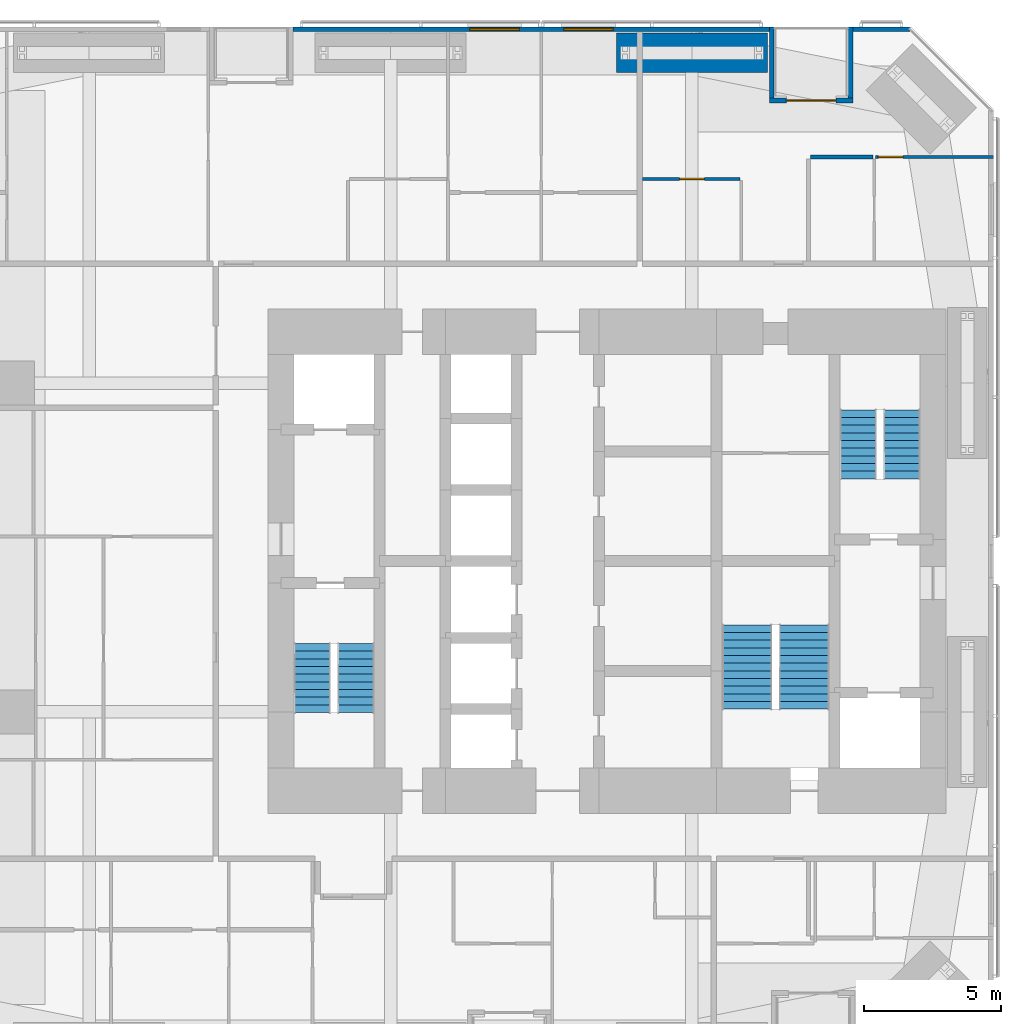
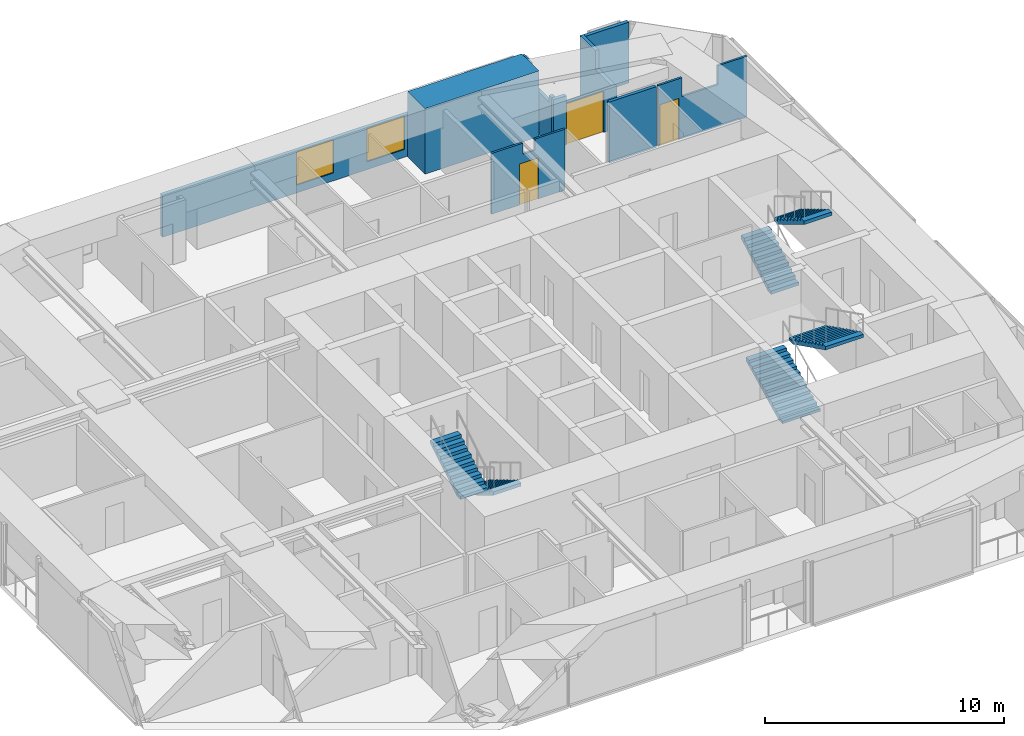
# One storey, part 23 of 24: 10 walls, 6 stair flights, 3 doors, 2 windows, 5 openings, 3 elements without a shape of their own.
"""IFC4 building model written with IfcOpenShell, lengths in metres."""

from ifc_helpers import new_model, si_unit, direction, frame, frame_2d, origin, place, context, subcontext, project, spatial, polyline, rectangle, outline, extrude, material, layer, layer_set, constituent, constituent_set, type_object, element, fill, aggregate, save


model = new_model("IFC4")

# Units and contexts
model_context = context("Model", 3, precision=1e-05, world=origin(), true_north=direction((0.0, 1.0)))
body_context = subcontext(model_context, "Body", "Model", "MODEL_VIEW")
ifc_project = project(units=[si_unit("LENGTHUNIT", "METRE"), si_unit("AREAUNIT", "SQUARE_METRE"), si_unit("VOLUMEUNIT", "CUBIC_METRE"), si_unit("PLANEANGLEUNIT", "RADIAN"), si_unit("MASSUNIT", "GRAM", prefix="KILO")], contexts=[model_context])

# Site, building, storey
site_placement = place(None, origin())
site = spatial("IfcSite", under=ifc_project, at=site_placement, CompositionType="ELEMENT")
building_placement = place(site_placement, origin())
building = spatial("IfcBuilding", under=site, at=building_placement, Name="Jalousie Tower", CompositionType="ELEMENT")
storey_placement = place(building_placement, frame((0.0, 0.0, 57.85009765625)))
storey = spatial("IfcBuildingStorey", under=building, at=storey_placement, Name="L15", CompositionType="ELEMENT", Elevation=57.85009765625)

# Walls
ifc_material_1 = material(Name="Concrete block ASTM C90", Category="concrete")
ifc_constituent_1 = constituent(ifc_material_1, Name="Body")
ifc_material_2 = material(Name="Render")
ifc_constituent_2 = constituent(ifc_material_2, Name="Finish")
ifc_constituent_set_1 = constituent_set(constituents=[ifc_constituent_1, ifc_constituent_2])
wall_type_1 = type_object("IfcWallType", Name="BATHROOM WALL 150", PredefinedType="PLUMBINGWALL", material=ifc_constituent_set_1)
wall_1_placement = place(storey_placement, frame((39.324951171875, 33.25341796875, 0.0), z_axis=(0.0, 0.0, 1.0), x_axis=(1.0, 0.0, 0.0)))
element("IfcWall", 1, at=wall_1_placement, inside=storey, type_object=wall_type_1, Name="Bathroom Wall 150 L15", PredefinedType="PLUMBINGWALL", context=body_context, shape_type="SweptSolid", body=[
    extrude(rectangle(XDim=2.275146484375, YDim=0.14990234375, at=frame_2d((1.1376953125, 0.0))), origin(), (0.0, 0.0, 1.0), 3.10986328125),
])
ifc_material_3 = material(Name="Concrete f'c 40 MPa", Category="concrete")
ifc_constituent_3 = constituent(ifc_material_3, Name="Body")
ifc_material_4 = material(Name="Render, pastel coral")
ifc_constituent_4 = constituent(ifc_material_4, Name="Finish")
ifc_constituent_set_2 = constituent_set(constituents=[ifc_constituent_3, ifc_constituent_4])
wall_type_2 = type_object("IfcWallType", Name="EXTERNAL WALL 175 CORAL RENDER", PredefinedType="SOLIDWALL", material=ifc_constituent_set_2)
wall_2_placement = place(storey_placement, frame((42.94873046875, 37.91259765625, 0.0), z_axis=(0.0, 0.0, 1.0), x_axis=(-1.0, 0.0, 0.0)))
element("IfcWall", 2, at=wall_2_placement, inside=storey, type_object=wall_type_2, Name="External Wall 175 Coral Render L15", PredefinedType="SOLIDWALL", context=body_context, shape_type="SweptSolid", body=[
    extrude(rectangle(XDim=2.074951171875, YDim=0.175048828125, at=frame_2d((1.03759765625, 0.0))), origin(), (0.0, 0.0, 1.0), 3.10986328125),
])

# Wall, openings, windows
wall_3_placement = place(storey_placement, frame((37.82373046875, 37.91259765625, 0.0), z_axis=(0.0, 0.0, 1.0), x_axis=(-1.0, 0.0, 0.0)))
wall_3 = element("IfcWall", 3, at=wall_3_placement, inside=storey, type_object=wall_type_2, Name="External Wall 175 Coral Render L15", PredefinedType="SOLIDWALL", context=body_context, shape_type="SweptSolid", body=[
    extrude(outline(polyline([(0.0, 0.0), (17.373779296875, 0.0), (17.373779296875, 2.14990234375), (2.82373046875, 2.14990234375), (2.82373046875, 3.10986328125), (2.66796875, 3.10986328125), (2.66796875, 2.14990234375), (2.61962890625, 2.14990234375), (2.61962890625, 3.10986328125), (0.0, 3.10986328125), (0.0, 0.0)])), frame((0.0, 0.08740234375, 0.0), z_axis=(0.0, -1.0, 0.0), x_axis=(1.0, 0.0, 0.0)), (0.0, 0.0, 1.0), 0.175048828125),
])
opening_1_placement = place(wall_3_placement, frame((5.69873046875, 0.0, 0.39990234375)))
opening_1 = element("IfcOpeningElement", 4, at=opening_1_placement, cuts=wall_3, Name="Opening W-BED170", PredefinedType="OPENING", context=body_context, shape_type="SweptSolid", body=[
    extrude(rectangle(XDim=1.800048828125, YDim=1.699951171875, at=frame_2d((0.89990234375, 0.85009765625))), frame((0.0, 0.097412109375, 0.0), z_axis=(0.0, -1.0, 0.0), x_axis=(1.0, 0.0, 0.0)), (0.0, 0.0, 1.0), 0.195068359375),
])
opening_2_placement = place(wall_3_placement, frame((9.123779296875, 0.0, 0.39990234375)))
opening_2 = element("IfcOpeningElement", 5, at=opening_2_placement, cuts=wall_3, Name="Opening W-BED170", PredefinedType="OPENING", context=body_context, shape_type="SweptSolid", body=[
    extrude(rectangle(XDim=1.800048828125, YDim=1.699951171875, at=frame_2d((0.89990234375, 0.85009765625))), frame((0.0, 0.097412109375, 0.0), z_axis=(0.0, -1.0, 0.0), x_axis=(1.0, 0.0, 0.0)), (0.0, 0.0, 1.0), 0.195068359375),
])
ifc_material_5 = material(Name="Aluminium frame, impact-rated glazing", Category="aluminium")
window_type = type_object("IfcWindowType", Name="WINDOW BED 1800x1700", PartitioningType="SINGLE_PANEL", PredefinedType="WINDOW", material=ifc_material_5)
window_1_placement = place(opening_1_placement, origin())
window_1 = element("IfcWindow", 6, at=window_1_placement, inside=storey, type_object=window_type, Name="Apartment 1503 bedroom 4 window", OverallHeight=1.699951171875, OverallWidth=1.800048828125, PartitioningType="SINGLE_PANEL", PredefinedType="WINDOW", context=body_context, shape_type="SweptSolid", body=[
    extrude(rectangle(XDim=1.800048828125, YDim=1.699951171875, at=frame_2d((0.89990234375, 0.85009765625))), frame((0.0, 0.030029296875, 0.0), z_axis=(0.0, -1.0, 0.0), x_axis=(1.0, 0.0, 0.0)), (0.0, 0.0, 1.0), 0.06005859375),
])
fill(opening_1, window_1)
window_2_placement = place(opening_2_placement, origin())
window_2 = element("IfcWindow", 7, at=window_2_placement, inside=storey, type_object=window_type, Name="Apartment 1503 bedroom 3 window", OverallHeight=1.699951171875, OverallWidth=1.800048828125, PartitioningType="SINGLE_PANEL", PredefinedType="WINDOW", context=body_context, shape_type="SweptSolid", body=[
    extrude(rectangle(XDim=1.800048828125, YDim=1.699951171875, at=frame_2d((0.89990234375, 0.85009765625))), frame((0.0, 0.030029296875, 0.0), z_axis=(0.0, -1.0, 0.0), x_axis=(1.0, 0.0, 0.0)), (0.0, 0.0, 1.0), 0.06005859375),
])
fill(opening_2, window_2)

# Wall, opening, door
wall_4_placement = place(storey_placement, frame((40.873779296875, 35.3125, 0.0), z_axis=(0.0, 0.0, 1.0), x_axis=(-1.0, 0.0, 0.0)))
wall_4 = element("IfcWall", 8, at=wall_4_placement, inside=storey, type_object=wall_type_2, Name="External Wall 175 Coral Render L15-A", PredefinedType="SOLIDWALL", context=body_context, shape_type="SweptSolid", body=[
    extrude(rectangle(XDim=2.425048828125, YDim=0.175048828125, at=frame_2d((1.21240234375, 0.0))), origin(), (0.0, 0.0, 1.0), 2.14990234375),
])
opening_3_placement = place(wall_4_placement, frame((0.625, 0.0, 0.0)))
opening_3 = element("IfcOpeningElement", 9, at=opening_3_placement, cuts=wall_4, Name="Opening D-BAL21", PredefinedType="OPENING", context=body_context, shape_type="SweptSolid", body=[
    extrude(rectangle(XDim=1.800048828125, YDim=2.10009765625, at=frame_2d((0.89990234375, 1.050048828125))), frame((0.0, 0.097412109375, 0.0), z_axis=(0.0, -1.0, 0.0), x_axis=(1.0, 0.0, 0.0)), (0.0, 0.0, 1.0), 0.195068359375),
])
ifc_material_6 = material(Name="Aluminium frame, impact-rated glazing", Category="aluminium")
door_type_1 = type_object("IfcDoorType", Name="BALCONY DOOR 1800x2100", OperationType="SLIDING_TO_LEFT", PredefinedType="DOOR", material=ifc_material_6)
door_1_placement = place(opening_3_placement, origin())
door_1 = element("IfcDoor", 10, at=door_1_placement, inside=storey, type_object=door_type_1, Name="Apartment 1504 living and dining room loggia door", OperationType="SLIDING_TO_LEFT", OverallHeight=2.10009765625, OverallWidth=1.800048828125, PredefinedType="DOOR", context=body_context, shape_type="SweptSolid", body=[
    extrude(rectangle(XDim=1.800048828125, YDim=2.10009765625, at=frame_2d((0.89990234375, 1.050048828125))), frame((0.0, 0.02490234375, 0.0), z_axis=(0.0, -1.0, 0.0), x_axis=(1.0, 0.0, 0.0)), (0.0, 0.0, 1.0), 0.050048828125),
])
fill(opening_3, door_1)

# Walls
wall_5_placement = place(storey_placement, frame((38.44873046875, 35.3125, 0.0), z_axis=(0.0, 0.0, 1.0), x_axis=(-1.0, 0.0, 0.0)))
element("IfcWall", 11, at=wall_5_placement, inside=storey, type_object=wall_type_2, Name="External Wall 175 Coral Render L15-B", PredefinedType="SOLIDWALL", context=body_context, shape_type="SweptSolid", body=[
    extrude(rectangle(XDim=0.625, YDim=0.175048828125, at=frame_2d((0.3125, 0.0))), origin(), (0.0, 0.0, 1.0), 2.510009765625),
])
wall_6_placement = place(storey_placement, frame((40.7861328125, 38.0, 0.0), z_axis=(0.0, 0.0, 1.0), x_axis=(0.0, -1.0, 0.0)))
element("IfcWall", 12, at=wall_6_placement, inside=storey, type_object=wall_type_2, Name="External Wall 175 Coral Render L15", PredefinedType="SOLIDWALL", context=body_context, shape_type="SweptSolid", body=[
    extrude(outline(polyline([(0.0, 0.0), (2.60009765625, 0.0), (2.60009765625, 2.14990234375), (1.279052734375, 2.14990234375), (1.279052734375, 3.10986328125), (0.0, 3.10986328125), (0.0, 0.0)])), frame((0.0, 0.08740234375, 0.0), z_axis=(0.0, -1.0, 0.0), x_axis=(1.0, 0.0, 0.0)), (0.0, 0.0, 1.0), 0.175048828125),
])
wall_7_placement = place(storey_placement, frame((37.9111328125, 38.0, 0.0), z_axis=(0.0, 0.0, 1.0), x_axis=(0.0, -1.0, 0.0)))
element("IfcWall", 13, at=wall_7_placement, inside=storey, type_object=wall_type_2, Name="External Wall 175 Coral Render L15", PredefinedType="SOLIDWALL", context=body_context, shape_type="SweptSolid", body=[
    extrude(outline(polyline([(0.0, 0.0), (2.60009765625, 0.0), (2.60009765625, 2.510009765625), (2.368408203125, 2.510009765625), (2.368408203125, 2.14990234375), (0.701416015625, 2.14990234375), (0.701416015625, 3.10986328125), (0.0, 3.10986328125), (0.0, 0.0)])), frame((0.0, 0.08740234375, 0.0), z_axis=(0.0, -1.0, 0.0), x_axis=(1.0, 0.0, 0.0)), (0.0, 0.0, 1.0), 0.175048828125),
])

# Wall, opening, door
ifc_material_7 = material(Name="Gypsum board", Category="gypsum")
ifc_constituent_5 = constituent(ifc_material_7, Name="Body")
ifc_material_8 = material(Name="Light-gauge steel studs ASTM A653 SS Grade 33", Category="steel")
ifc_constituent_6 = constituent(ifc_material_8, Name="Framing")
ifc_constituent_set_3 = constituent_set(constituents=[ifc_constituent_5, ifc_constituent_6])
wall_type_3 = type_object("IfcWallType", Name="PARTITION 100", PredefinedType="PARTITIONING", material=ifc_constituent_set_3)
wall_8_placement = place(storey_placement, frame((41.699951171875, 33.25341796875, 0.0), z_axis=(0.0, 0.0, 1.0), x_axis=(1.0, 0.0, 0.0)))
wall_8 = element("IfcWall", 14, at=wall_8_placement, inside=storey, type_object=wall_type_3, Name="Partition 100 L15", PredefinedType="PARTITIONING", context=body_context, shape_type="SweptSolid", body=[
    extrude(outline(polyline([(0.0, 0.0), (4.300048828125, 0.0), (4.300048828125, 3.10986328125), (2.8828125, 3.10986328125), (2.8828125, 2.14990234375), (1.140380859375, 2.14990234375), (1.140380859375, 3.10986328125), (0.0, 3.10986328125), (0.0, 0.0)])), frame((0.0, 0.050048828125, 0.0), z_axis=(0.0, -1.0, 0.0), x_axis=(1.0, 0.0, 0.0)), (0.0, 0.0, 1.0), 0.10009765625),
])
opening_4_placement = place(wall_8_placement, frame((0.10009765625, 0.0, 0.0)))
opening_4 = element("IfcOpeningElement", 15, at=opening_4_placement, cuts=wall_8, Name="Opening D2", PredefinedType="OPENING", context=body_context, shape_type="SweptSolid", body=[
    extrude(rectangle(XDim=0.89990234375, YDim=2.10009765625, at=frame_2d((0.449951171875, 1.050048828125))), frame((0.0, 0.06005859375, 0.0), z_axis=(0.0, -1.0, 0.0), x_axis=(1.0, 0.0, 0.0)), (0.0, 0.0, 1.0), 0.1201171875),
])
ifc_material_9 = material(Name="Timber door", Category="wood")
door_type_2 = type_object("IfcDoorType", Name="BEDROOM DOOR 900", OperationType="SINGLE_SWING_LEFT", PredefinedType="DOOR", material=ifc_material_9)
door_2_placement = place(opening_4_placement, frame((0.89990234375, 0.0, 0.0), z_axis=(0.0, 0.0, 1.0), x_axis=(-1.0, 0.0, 0.0)))
door_2 = element("IfcDoor", 16, at=door_2_placement, inside=storey, type_object=door_type_2, Name="Apartment 1504 bedroom 1 door", OperationType="SINGLE_SWING_RIGHT", OverallHeight=2.10009765625, OverallWidth=0.89990234375, PredefinedType="DOOR", context=body_context, shape_type="SweptSolid", body=[
    extrude(rectangle(XDim=0.89990234375, YDim=2.10009765625, at=frame_2d((0.449951171875, 1.050048828125))), frame((0.0, 0.02490234375, 0.0), z_axis=(0.0, -1.0, 0.0), x_axis=(1.0, 0.0, 0.0)), (0.0, 0.0, 1.0), 0.050048828125),
])
fill(opening_4, door_2)

wall_9_placement = place(storey_placement, frame((33.199951171875, 32.449951171875, 0.0), z_axis=(0.0, 0.0, 1.0), x_axis=(1.0, 0.0, 0.0)))
wall_9 = element("IfcWall", 17, at=wall_9_placement, inside=storey, type_object=wall_type_3, Name="Partition 100 L15", PredefinedType="PARTITIONING", context=body_context, shape_type="SweptSolid", body=[
    extrude(outline(polyline([(0.0, 0.0), (3.550048828125, 0.0), (3.550048828125, 3.10986328125), (2.08740234375, 3.10986328125), (2.08740234375, 2.541015625), (1.5126953125, 2.541015625), (1.5126953125, 3.10986328125), (0.0, 3.10986328125), (0.0, 0.0)])), frame((0.0, 0.050048828125, 0.0), z_axis=(0.0, -1.0, 0.0), x_axis=(1.0, 0.0, 0.0)), (0.0, 0.0, 1.0), 0.10009765625),
])
opening_5_placement = place(wall_9_placement, frame((1.35009765625, 0.0, 0.0)))
opening_5 = element("IfcOpeningElement", 18, at=opening_5_placement, cuts=wall_9, Name="Opening D7", PredefinedType="OPENING", context=body_context, shape_type="SweptSolid", body=[
    extrude(rectangle(XDim=0.89990234375, YDim=2.10009765625, at=frame_2d((0.449951171875, 1.050048828125))), frame((0.0, 0.06005859375, 0.0), z_axis=(0.0, -1.0, 0.0), x_axis=(1.0, 0.0, 0.0)), (0.0, 0.0, 1.0), 0.1201171875),
])
ifc_material_10 = material(Name="Timber door", Category="wood")
door_type_3 = type_object("IfcDoorType", Name="INTERNAL DOOR 900", OperationType="SINGLE_SWING_LEFT", PredefinedType="DOOR", material=ifc_material_10)
door_3_placement = place(opening_5_placement, origin())
door_3 = element("IfcDoor", 19, at=door_3_placement, inside=storey, type_object=door_type_3, Name="Apartment 1504 kitchen door", OperationType="SINGLE_SWING_LEFT", OverallHeight=2.10009765625, OverallWidth=0.89990234375, PredefinedType="DOOR", context=body_context, shape_type="SweptSolid", body=[
    extrude(rectangle(XDim=0.89990234375, YDim=2.10009765625, at=frame_2d((0.449951171875, 1.050048828125))), frame((0.0, 0.02490234375, 0.0), z_axis=(0.0, -1.0, 0.0), x_axis=(1.0, 0.0, 0.0)), (0.0, 0.0, 1.0), 0.050048828125),
])
fill(opening_5, door_3)

# Wall
ifc_material_11 = material(Name="Concrete f'c 120 MPa", Category="concrete")
ifc_layer = layer(ifc_material_11, 1.449951171875)
ifc_layer_set = layer_set([ifc_layer], Name="Concrete f'c 120 MPa")
wall_type_4 = type_object("IfcWallType", Name="RC WALL PIER 1450", PredefinedType="SHEAR", material=ifc_layer_set)
wall_10_placement = place(storey_placement, frame((32.25, 37.050048828125, 0.0), z_axis=(0.0, 0.0, 1.0), x_axis=(1.0, 0.0, 0.0)))
element("IfcWall", 20, at=wall_10_placement, inside=storey, type_object=wall_type_4, Name="Wall pier 09 L15", PredefinedType="SHEAR", context=body_context, shape_type="SweptSolid", body=[
    extrude(rectangle(XDim=5.5, YDim=1.449951171875, at=frame_2d((2.75, 0.0))), origin(), (0.0, 0.0, 1.0), 3.349853515625),
])

# Stair, stair flights
ifc_material_12 = material(Name="Concrete f'c 40 MPa", Category="concrete")
stair_type = type_object("IfcStairType", Name="EXIT STAIR", PredefinedType="HALF_TURN_STAIR", material=ifc_material_12)
stair_1_placement = place(storey_placement, origin())
stair_1 = element("IfcStair", 21, at=stair_1_placement, inside=storey, type_object=stair_type, Name="Exit stair A L15", PredefinedType="HALF_TURN_STAIR")
ifc_material_13 = material(Name="Concrete f'c 40 MPa", Category="concrete")
stair_flight_type = type_object("IfcStairFlightType", Name="STAIR FLIGHT", PredefinedType="STRAIGHT", material=ifc_material_13)
stair_flight_1_placement = place(storey_placement, frame((22.731201171875, 15.49755859375, 0.0), z_axis=(0.0, 0.0, 1.0), x_axis=(0.0, -1.0, 0.0)))
stair_flight_1 = element("IfcStairFlight", 22, at=stair_flight_1_placement, type_object=stair_flight_type, Name="ST-A flight 1", NumberOfRisers=10, NumberOfTreads=9, PredefinedType="STRAIGHT", RiserHeight=0.1675, TreadLength=0.28, context=body_context, shape_type="SweptSolid", body=[
    extrude(outline(polyline([(0.0, 0.0), (0.0, 0.16748046875), (0.280029296875, 0.16748046875), (0.280029296875, 0.3349609375), (0.56005859375, 0.3349609375), (0.56005859375, 0.50244140625), (0.840087890625, 0.50244140625), (0.840087890625, 0.669921875), (1.1201171875, 0.669921875), (1.1201171875, 0.83740234375), (1.39990234375, 0.83740234375), (1.39990234375, 1.0048828125), (1.679931640625, 1.0048828125), (1.679931640625, 1.172607421875), (1.9599609375, 1.172607421875), (1.9599609375, 1.340087890625), (2.239990234375, 1.340087890625), (2.239990234375, 1.507568359375), (2.52001953125, 1.507568359375), (2.52001953125, 1.675048828125), (2.52001953125, 1.332763671875), (0.2919921875, 0.0), (0.0, 0.0)])), frame((0.0, 0.668701171875, 0.0), z_axis=(0.0, -1.0, 0.0), x_axis=(1.0, 0.0, 0.0)), (0.0, 0.0, 1.0), 1.33740234375),
])
stair_flight_2_placement = place(storey_placement, frame((21.143798828125, 12.9775390625, 1.6748046875), z_axis=(0.0, 0.0, 1.0), x_axis=(0.0, 1.0, 0.0)))
stair_flight_2 = element("IfcStairFlight", 23, at=stair_flight_2_placement, type_object=stair_flight_type, Name="ST-A flight 2", NumberOfRisers=10, NumberOfTreads=9, PredefinedType="STRAIGHT", RiserHeight=0.1675, TreadLength=0.28, context=body_context, shape_type="SweptSolid", body=[
    extrude(outline(polyline([(0.0, 0.0), (0.0, 0.16748046875), (0.280029296875, 0.16748046875), (0.280029296875, 0.3349609375), (0.56005859375, 0.3349609375), (0.56005859375, 0.50244140625), (0.840087890625, 0.50244140625), (0.840087890625, 0.669921875), (1.1201171875, 0.669921875), (1.1201171875, 0.83740234375), (1.39990234375, 0.83740234375), (1.39990234375, 1.0048828125), (1.679931640625, 1.0048828125), (1.679931640625, 1.172607421875), (1.9599609375, 1.172607421875), (1.9599609375, 1.340087890625), (2.239990234375, 1.340087890625), (2.239990234375, 1.507568359375), (2.52001953125, 1.507568359375), (2.52001953125, 1.675048828125), (2.52001953125, 1.332763671875), (0.2919921875, 0.0), (0.0, 0.0)])), frame((0.0, 0.668701171875, 0.0), z_axis=(0.0, -1.0, 0.0), x_axis=(1.0, 0.0, 0.0)), (0.0, 0.0, 1.0), 1.33740234375),
])
aggregate(stair_1, [stair_flight_1, stair_flight_2])

stair_2_placement = place(storey_placement, origin())
stair_2 = element("IfcStair", 24, at=stair_2_placement, inside=storey, type_object=stair_type, Name="Exit stair B L15", PredefinedType="HALF_TURN_STAIR")
stair_flight_3_placement = place(storey_placement, frame((41.06884765625, 21.50244140625, 0.0), z_axis=(0.0, 0.0, 1.0), x_axis=(0.0, 1.0, 0.0)))
stair_flight_3 = element("IfcStairFlight", 25, at=stair_flight_3_placement, type_object=stair_flight_type, Name="ST-B flight 1", NumberOfRisers=10, NumberOfTreads=9, PredefinedType="STRAIGHT", RiserHeight=0.1675, TreadLength=0.28, context=body_context, shape_type="SweptSolid", body=[
    extrude(outline(polyline([(0.0, 0.0), (0.0, 0.16748046875), (0.280029296875, 0.16748046875), (0.280029296875, 0.3349609375), (0.56005859375, 0.3349609375), (0.56005859375, 0.50244140625), (0.840087890625, 0.50244140625), (0.840087890625, 0.669921875), (1.1201171875, 0.669921875), (1.1201171875, 0.83740234375), (1.39990234375, 0.83740234375), (1.39990234375, 1.0048828125), (1.679931640625, 1.0048828125), (1.679931640625, 1.172607421875), (1.9599609375, 1.172607421875), (1.9599609375, 1.340087890625), (2.239990234375, 1.340087890625), (2.239990234375, 1.507568359375), (2.52001953125, 1.507568359375), (2.52001953125, 1.675048828125), (2.52001953125, 1.332763671875), (0.2919921875, 0.0), (0.0, 0.0)])), frame((0.0, 0.668701171875, 0.0), z_axis=(0.0, -1.0, 0.0), x_axis=(1.0, 0.0, 0.0)), (0.0, 0.0, 1.0), 1.33740234375),
])
stair_flight_4_placement = place(storey_placement, frame((42.65625, 24.0224609375, 1.6748046875), z_axis=(0.0, 0.0, 1.0), x_axis=(0.0, -1.0, 0.0)))
stair_flight_4 = element("IfcStairFlight", 26, at=stair_flight_4_placement, type_object=stair_flight_type, Name="ST-B flight 2", NumberOfRisers=10, NumberOfTreads=9, PredefinedType="STRAIGHT", RiserHeight=0.1675, TreadLength=0.28, context=body_context, shape_type="SweptSolid", body=[
    extrude(outline(polyline([(0.0, 0.0), (0.0, 0.16748046875), (0.280029296875, 0.16748046875), (0.280029296875, 0.3349609375), (0.56005859375, 0.3349609375), (0.56005859375, 0.50244140625), (0.840087890625, 0.50244140625), (0.840087890625, 0.669921875), (1.1201171875, 0.669921875), (1.1201171875, 0.83740234375), (1.39990234375, 0.83740234375), (1.39990234375, 1.0048828125), (1.679931640625, 1.0048828125), (1.679931640625, 1.172607421875), (1.9599609375, 1.172607421875), (1.9599609375, 1.340087890625), (2.239990234375, 1.340087890625), (2.239990234375, 1.507568359375), (2.52001953125, 1.507568359375), (2.52001953125, 1.675048828125), (2.52001953125, 1.332763671875), (0.2919921875, 0.0), (0.0, 0.0)])), frame((0.0, 0.668701171875, 0.0), z_axis=(0.0, -1.0, 0.0), x_axis=(1.0, 0.0, 0.0)), (0.0, 0.0, 1.0), 1.33740234375),
])
aggregate(stair_2, [stair_flight_3, stair_flight_4])

stair_3_placement = place(storey_placement, origin())
stair_3 = element("IfcStair", 27, at=stair_3_placement, inside=storey, type_object=stair_type, Name="Exit stair C L15", PredefinedType="HALF_TURN_STAIR")
stair_flight_5_placement = place(storey_placement, frame((37.012451171875, 13.097412109375, 0.0), z_axis=(0.0, 0.0, 1.0), x_axis=(0.0, 1.0, 0.0)))
stair_flight_5 = element("IfcStairFlight", 28, at=stair_flight_5_placement, type_object=stair_flight_type, Name="ST-C flight 1", NumberOfRisers=12, NumberOfTreads=11, PredefinedType="STRAIGHT", RiserHeight=0.139583333, TreadLength=0.28, context=body_context, shape_type="SweptSolid", body=[
    extrude(outline(polyline([(0.0, 0.0), (0.0, 0.1396484375), (0.280029296875, 0.1396484375), (0.280029296875, 0.279052734375), (0.56005859375, 0.279052734375), (0.56005859375, 0.418701171875), (0.840087890625, 0.418701171875), (0.840087890625, 0.558349609375), (1.1201171875, 0.558349609375), (1.1201171875, 0.697998046875), (1.39990234375, 0.697998046875), (1.39990234375, 0.83740234375), (1.679931640625, 0.83740234375), (1.679931640625, 0.97705078125), (1.9599609375, 0.97705078125), (1.9599609375, 1.11669921875), (2.239990234375, 1.11669921875), (2.239990234375, 1.25634765625), (2.52001953125, 1.25634765625), (2.52001953125, 1.395751953125), (2.800048828125, 1.395751953125), (2.800048828125, 1.535400390625), (3.080078125, 1.535400390625), (3.080078125, 1.675048828125), (3.080078125, 1.367919921875), (0.3359375, 0.0), (0.0, 0.0)])), frame((0.0, 0.91259765625, 0.0), z_axis=(0.0, -1.0, 0.0), x_axis=(1.0, 0.0, 0.0)), (0.0, 0.0, 1.0), 1.824951171875),
])
stair_flight_6_placement = place(storey_placement, frame((39.08740234375, 16.177490234375, 1.6748046875), z_axis=(0.0, 0.0, 1.0), x_axis=(0.0, -1.0, 0.0)))
stair_flight_6 = element("IfcStairFlight", 29, at=stair_flight_6_placement, type_object=stair_flight_type, Name="ST-C flight 2", NumberOfRisers=12, NumberOfTreads=11, PredefinedType="STRAIGHT", RiserHeight=0.139583333, TreadLength=0.28, context=body_context, shape_type="SweptSolid", body=[
    extrude(outline(polyline([(0.0, 0.0), (0.0, 0.1396484375), (0.280029296875, 0.1396484375), (0.280029296875, 0.279052734375), (0.56005859375, 0.279052734375), (0.56005859375, 0.418701171875), (0.840087890625, 0.418701171875), (0.840087890625, 0.558349609375), (1.1201171875, 0.558349609375), (1.1201171875, 0.697998046875), (1.39990234375, 0.697998046875), (1.39990234375, 0.83740234375), (1.679931640625, 0.83740234375), (1.679931640625, 0.97705078125), (1.9599609375, 0.97705078125), (1.9599609375, 1.11669921875), (2.239990234375, 1.11669921875), (2.239990234375, 1.25634765625), (2.52001953125, 1.25634765625), (2.52001953125, 1.395751953125), (2.800048828125, 1.395751953125), (2.800048828125, 1.535400390625), (3.080078125, 1.535400390625), (3.080078125, 1.675048828125), (3.080078125, 1.367919921875), (0.3359375, 0.0), (0.0, 0.0)])), frame((0.0, 0.91259765625, 0.0), z_axis=(0.0, -1.0, 0.0), x_axis=(1.0, 0.0, 0.0)), (0.0, 0.0, 1.0), 1.824951171875),
])
aggregate(stair_3, [stair_flight_5, stair_flight_6])

save(model, "model.ifc")
